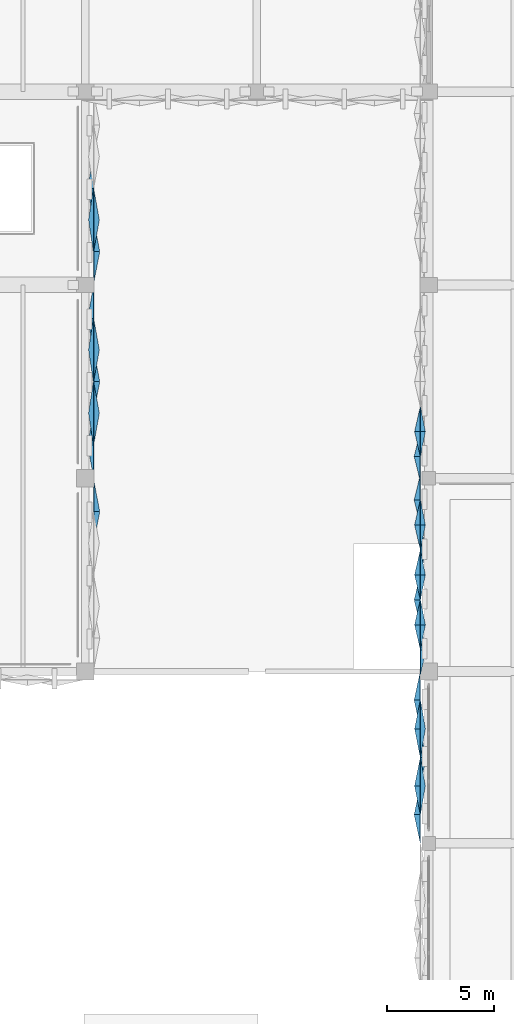
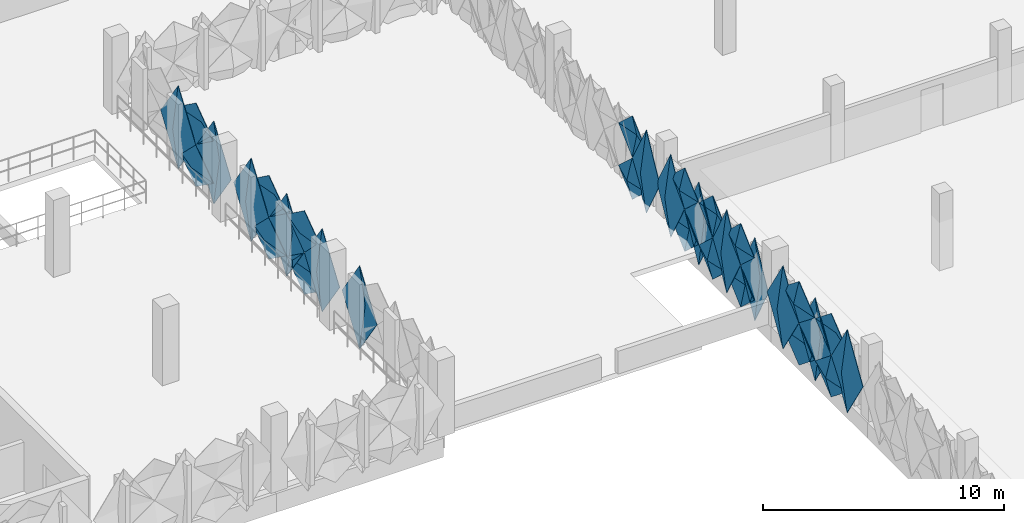
# One storey, part 74 of 96: 32 plates.
"""IFC4 building model written with IfcOpenShell, lengths in metres."""

from ifc_helpers import new_model, si_unit, derived_unit, direction, frame, origin, place, context, subcontext, project, spatial, polygons, material, layer, layer_set, type_object, element, save


model = new_model("IFC4")

# Units and contexts
model_context = context("Model", 3, precision=1e-05, world=origin(), true_north=direction((0.0, 1.0)))
body_context = subcontext(model_context, "Body", "Model", "MODEL_VIEW")
ifc_project = project(units=[si_unit("LENGTHUNIT", "METRE"), si_unit("AREAUNIT", "SQUARE_METRE"), si_unit("VOLUMEUNIT", "CUBIC_METRE"), si_unit("PLANEANGLEUNIT", "RADIAN"), si_unit("MASSUNIT", "GRAM", prefix="KILO"), si_unit("THERMODYNAMICTEMPERATUREUNIT", "KELVIN"), derived_unit("THERMALTRANSMITTANCEUNIT", [(si_unit("POWERUNIT", "WATT"), 1), (si_unit("AREAUNIT", "SQUARE_METRE"), -1), (si_unit("THERMODYNAMICTEMPERATUREUNIT", "KELVIN"), -1)])], contexts=[model_context])

# Site, building, storey
site_placement = place(None, origin())
site = spatial("IfcSite", under=ifc_project, at=site_placement, CompositionType="ELEMENT")
building_placement = place(site_placement, origin())
building = spatial("IfcBuilding", under=site, at=building_placement, Name="Haiyu Intermodal Mobility Hub", CompositionType="ELEMENT")
storey_placement = place(building_placement, frame((0.0, 0.0, 9.5)))
storey = spatial("IfcBuildingStorey", under=building, at=storey_placement, Name="L02", CompositionType="ELEMENT", Elevation=9.5)

# Plates
ifc_material = material(Name="Anodised aluminium 6063-T6", Category="aluminium")
ifc_layer_1 = layer(ifc_material, 0.01806640625)
ifc_layer_set_1 = layer_set([ifc_layer_1], Name="Anodised aluminium 6063-T6")
plate_type_1 = type_object("IfcPlateType", Name="PLT-FC01", PredefinedType="USERDEFINED", material=ifc_layer_set_1)
plate_1_placement = place(storey_placement, origin())
element("IfcPlate", 1, at=plate_1_placement, inside=storey, type_object=plate_type_1, Name="PLT-PYR-0669", ObjectType="FACADE CASSETTE", PredefinedType="USERDEFINED", context=body_context, shape_type="Tessellation", body=[
    polygons([(146.39990234375, 111.447021484375, -0.510009765625), (146.39990234375, 112.89990234375, 1.60009765625), (146.39990234375, 111.447021484375, 3.7099609375), (146.39990234375, 109.992919921875, 1.60009765625), (146.679931640625, 111.447021484375, 1.60009765625), (146.3779296875, 111.447021484375, -0.510009765625), (146.3779296875, 112.89990234375, 1.60009765625), (146.3779296875, 111.447021484375, 3.7099609375), (146.3779296875, 109.992919921875, 1.60009765625), (146.657958984375, 111.447021484375, 1.60009765625)], [[[1, 2, 5]], [[2, 3, 5]], [[3, 4, 5]], [[4, 1, 5]], [[7, 6, 10]], [[8, 7, 10]], [[9, 8, 10]], [[6, 9, 10]], [[1, 6, 7, 2]], [[2, 7, 8, 3]], [[3, 8, 9, 4]], [[4, 9, 6, 1]]], closed=True),
])
plate_2_placement = place(storey_placement, origin())
element("IfcPlate", 2, at=plate_2_placement, inside=storey, type_object=plate_type_1, Name="PLT-PYR-1914", ObjectType="FACADE CASSETTE", PredefinedType="USERDEFINED", context=body_context, shape_type="Tessellation", body=[
    polygons([(161.60009765625, 107.337890625, -0.510009765625), (161.60009765625, 106.195068359375, 1.60009765625), (161.60009765625, 107.337890625, 3.7099609375), (161.60009765625, 108.47998046875, 1.60009765625), (161.320068359375, 107.337890625, 1.60009765625), (161.6220703125, 107.337890625, -0.510009765625), (161.6220703125, 106.195068359375, 1.60009765625), (161.6220703125, 107.337890625, 3.7099609375), (161.6220703125, 108.47998046875, 1.60009765625), (161.342041015625, 107.337890625, 1.60009765625)], [[[1, 2, 5]], [[2, 3, 5]], [[3, 4, 5]], [[4, 1, 5]], [[7, 6, 10]], [[8, 7, 10]], [[9, 8, 10]], [[6, 9, 10]], [[1, 6, 7, 2]], [[2, 7, 8, 3]], [[3, 8, 9, 4]], [[4, 9, 6, 1]]], closed=True),
])
plate_3_placement = place(storey_placement, origin())
element("IfcPlate", 3, at=plate_3_placement, inside=storey, type_object=plate_type_1, Name="PLT-PYR-2126", ObjectType="FACADE CASSETTE", PredefinedType="USERDEFINED", context=body_context, shape_type="Tessellation", body=[
    polygons([(161.60009765625, 97.3330078125, -0.510009765625), (161.60009765625, 96.02001953125, 1.60009765625), (161.60009765625, 97.3330078125, 3.7099609375), (161.60009765625, 98.64697265625, 1.60009765625), (161.320068359375, 97.3330078125, 1.60009765625), (161.6220703125, 97.3330078125, -0.510009765625), (161.6220703125, 96.02001953125, 1.60009765625), (161.6220703125, 97.3330078125, 3.7099609375), (161.6220703125, 98.64697265625, 1.60009765625), (161.342041015625, 97.3330078125, 1.60009765625)], [[[1, 2, 5]], [[2, 3, 5]], [[3, 4, 5]], [[4, 1, 5]], [[7, 6, 10]], [[8, 7, 10]], [[9, 8, 10]], [[6, 9, 10]], [[1, 6, 7, 2]], [[2, 7, 8, 3]], [[3, 8, 9, 4]], [[4, 9, 6, 1]]], closed=True),
])
ifc_layer_2 = layer(ifc_material, 0.02001953125)
ifc_layer_set_2 = layer_set([ifc_layer_2], Name="Anodised aluminium 6063-T6")
plate_type_2 = type_object("IfcPlateType", Name="PLT-FC02", PredefinedType="USERDEFINED", material=ifc_layer_set_2)
plate_4_placement = place(storey_placement, origin())
element("IfcPlate", 4, at=plate_4_placement, inside=storey, type_object=plate_type_2, Name="PLT-PYR-0676", ObjectType="FACADE CASSETTE", PredefinedType="USERDEFINED", context=body_context, shape_type="Tessellation", body=[
    polygons([(146.39990234375, 120.447021484375, -0.510009765625), (146.39990234375, 121.89990234375, 1.60009765625), (146.39990234375, 120.447021484375, 3.7099609375), (146.39990234375, 118.992919921875, 1.60009765625), (146.139892578125, 120.447021484375, 1.60009765625), (146.3779296875, 120.447021484375, -0.510009765625), (146.3779296875, 121.89990234375, 1.60009765625), (146.3779296875, 120.447021484375, 3.7099609375), (146.3779296875, 118.992919921875, 1.60009765625), (146.117919921875, 120.447021484375, 1.60009765625)], [[[1, 2, 5]], [[2, 3, 5]], [[3, 4, 5]], [[4, 1, 5]], [[7, 6, 10]], [[8, 7, 10]], [[9, 8, 10]], [[6, 9, 10]], [[1, 6, 7, 2]], [[2, 7, 8, 3]], [[3, 8, 9, 4]], [[4, 9, 6, 1]]], closed=True),
])
ifc_layer_3 = layer(ifc_material, 0.01806640625)
ifc_layer_set_3 = layer_set([ifc_layer_3], Name="Anodised aluminium 6063-T6")
plate_type_3 = type_object("IfcPlateType", Name="PLT-FC03", PredefinedType="USERDEFINED", material=ifc_layer_set_3)
plate_5_placement = place(storey_placement, origin())
element("IfcPlate", 5, at=plate_5_placement, inside=storey, type_object=plate_type_3, Name="PLT-PYR-1927", ObjectType="FACADE CASSETTE", PredefinedType="USERDEFINED", context=body_context, shape_type="Tessellation", body=[
    polygons([(161.60009765625, 114.011962890625, -0.510009765625), (161.60009765625, 112.8701171875, 1.60009765625), (161.60009765625, 114.011962890625, 3.7099609375), (161.60009765625, 115.155029296875, 1.60009765625), (161.320068359375, 114.011962890625, 1.60009765625), (161.6220703125, 114.011962890625, -0.510009765625), (161.6220703125, 112.8701171875, 1.60009765625), (161.6220703125, 114.011962890625, 3.7099609375), (161.6220703125, 115.155029296875, 1.60009765625), (161.342041015625, 114.011962890625, 1.60009765625)], [[[1, 2, 5]], [[2, 3, 5]], [[3, 4, 5]], [[4, 1, 5]], [[7, 6, 10]], [[8, 7, 10]], [[9, 8, 10]], [[6, 9, 10]], [[1, 6, 7, 2]], [[2, 7, 8, 3]], [[3, 8, 9, 4]], [[4, 9, 6, 1]]], closed=True),
])
ifc_layer_4 = layer(ifc_material, 0.02001953125)
ifc_layer_set_4 = layer_set([ifc_layer_4], Name="Anodised aluminium 6063-T6")
plate_type_4 = type_object("IfcPlateType", Name="PLT-FC04", PredefinedType="USERDEFINED", material=ifc_layer_set_4)
plate_6_placement = place(storey_placement, origin())
element("IfcPlate", 6, at=plate_6_placement, inside=storey, type_object=plate_type_4, Name="PLT-PYR-1917", ObjectType="FACADE CASSETTE", PredefinedType="USERDEFINED", context=body_context, shape_type="Tessellation", body=[
    polygons([(161.60009765625, 105.011962890625, -0.510009765625), (161.60009765625, 103.8701171875, 1.60009765625), (161.60009765625, 105.011962890625, 3.7099609375), (161.60009765625, 106.155029296875, 1.60009765625), (161.860107421875, 105.011962890625, 1.60009765625), (161.6220703125, 105.011962890625, -0.510009765625), (161.6220703125, 103.8701171875, 1.60009765625), (161.6220703125, 105.011962890625, 3.7099609375), (161.6220703125, 106.155029296875, 1.60009765625), (161.882080078125, 105.011962890625, 1.60009765625)], [[[1, 2, 5]], [[2, 3, 5]], [[3, 4, 5]], [[4, 1, 5]], [[7, 6, 10]], [[8, 7, 10]], [[9, 8, 10]], [[6, 9, 10]], [[1, 6, 7, 2]], [[2, 7, 8, 3]], [[3, 8, 9, 4]], [[4, 9, 6, 1]]], closed=True),
])
ifc_layer_5 = layer(ifc_material, 0.01806640625)
ifc_layer_set_5 = layer_set([ifc_layer_5], Name="Anodised aluminium 6063-T6")
plate_type_5 = type_object("IfcPlateType", Name="PLT-FC05", PredefinedType="USERDEFINED", material=ifc_layer_set_5)
plate_7_placement = place(storey_placement, origin())
element("IfcPlate", 7, at=plate_7_placement, inside=storey, type_object=plate_type_5, Name="PLT-PYR-0671", ObjectType="FACADE CASSETTE", PredefinedType="USERDEFINED", context=body_context, shape_type="Tessellation", body=[
    polygons([(146.39990234375, 116.027099609375, -0.52001953125), (146.39990234375, 117.47998046875, 0.530029296875), (146.39990234375, 116.027099609375, 1.580078125), (146.39990234375, 114.572998046875, 0.530029296875), (146.659912109375, 116.027099609375, 0.530029296875), (146.3779296875, 116.027099609375, -0.52001953125), (146.3779296875, 117.47998046875, 0.530029296875), (146.3779296875, 116.027099609375, 1.580078125), (146.3779296875, 114.572998046875, 0.530029296875), (146.637939453125, 116.027099609375, 0.530029296875)], [[[1, 2, 5]], [[2, 3, 5]], [[3, 4, 5]], [[4, 1, 5]], [[7, 6, 10]], [[8, 7, 10]], [[9, 8, 10]], [[6, 9, 10]], [[1, 6, 7, 2]], [[2, 7, 8, 3]], [[3, 8, 9, 4]], [[4, 9, 6, 1]]], closed=True),
])
plate_8_placement = place(storey_placement, origin())
element("IfcPlate", 8, at=plate_8_placement, inside=storey, type_object=plate_type_5, Name="PLT-PYR-0677", ObjectType="FACADE CASSETTE", PredefinedType="USERDEFINED", context=body_context, shape_type="Tessellation", body=[
    polygons([(146.39990234375, 123.552978515625, -0.510009765625), (146.39990234375, 125.007080078125, 1.60009765625), (146.39990234375, 123.552978515625, 3.7099609375), (146.39990234375, 122.10009765625, 1.60009765625), (146.679931640625, 123.552978515625, 1.60009765625), (146.3779296875, 123.552978515625, -0.510009765625), (146.3779296875, 125.007080078125, 1.60009765625), (146.3779296875, 123.552978515625, 3.7099609375), (146.3779296875, 122.10009765625, 1.60009765625), (146.657958984375, 123.552978515625, 1.60009765625)], [[[1, 2, 5]], [[2, 3, 5]], [[3, 4, 5]], [[4, 1, 5]], [[7, 6, 10]], [[8, 7, 10]], [[9, 8, 10]], [[6, 9, 10]], [[1, 6, 7, 2]], [[2, 7, 8, 3]], [[3, 8, 9, 4]], [[4, 9, 6, 1]]], closed=True),
])
plate_9_placement = place(storey_placement, origin())
element("IfcPlate", 9, at=plate_9_placement, inside=storey, type_object=plate_type_5, Name="PLT-PYR-1908", ObjectType="FACADE CASSETTE", PredefinedType="USERDEFINED", context=body_context, shape_type="Tessellation", body=[
    polygons([(161.60009765625, 111.988037109375, -0.510009765625), (161.60009765625, 110.844970703125, 1.60009765625), (161.60009765625, 111.988037109375, 3.7099609375), (161.60009765625, 113.1298828125, 1.60009765625), (161.320068359375, 111.988037109375, 1.60009765625), (161.6220703125, 111.988037109375, -0.510009765625), (161.6220703125, 110.844970703125, 1.60009765625), (161.6220703125, 111.988037109375, 3.7099609375), (161.6220703125, 113.1298828125, 1.60009765625), (161.342041015625, 111.988037109375, 1.60009765625)], [[[1, 2, 5]], [[2, 3, 5]], [[3, 4, 5]], [[4, 1, 5]], [[7, 6, 10]], [[8, 7, 10]], [[9, 8, 10]], [[6, 9, 10]], [[1, 6, 7, 2]], [[2, 7, 8, 3]], [[3, 8, 9, 4]], [[4, 9, 6, 1]]], closed=True),
])
plate_10_placement = place(storey_placement, origin())
element("IfcPlate", 10, at=plate_10_placement, inside=storey, type_object=plate_type_5, Name="PLT-PYR-1912", ObjectType="FACADE CASSETTE", PredefinedType="USERDEFINED", context=body_context, shape_type="Tessellation", body=[
    polygons([(161.60009765625, 108.5, -0.52001953125), (161.60009765625, 107.35791015625, 0.530029296875), (161.60009765625, 108.5, 1.580078125), (161.60009765625, 109.64306640625, 0.530029296875), (161.340087890625, 108.5, 0.530029296875), (161.6220703125, 108.5, -0.52001953125), (161.6220703125, 107.35791015625, 0.530029296875), (161.6220703125, 108.5, 1.580078125), (161.6220703125, 109.64306640625, 0.530029296875), (161.362060546875, 108.5, 0.530029296875)], [[[1, 2, 5]], [[2, 3, 5]], [[3, 4, 5]], [[4, 1, 5]], [[7, 6, 10]], [[8, 7, 10]], [[9, 8, 10]], [[6, 9, 10]], [[1, 6, 7, 2]], [[2, 7, 8, 3]], [[3, 8, 9, 4]], [[4, 9, 6, 1]]], closed=True),
])
plate_11_placement = place(storey_placement, origin())
element("IfcPlate", 11, at=plate_11_placement, inside=storey, type_object=plate_type_5, Name="PLT-PYR-1925", ObjectType="FACADE CASSETTE", PredefinedType="USERDEFINED", context=body_context, shape_type="Tessellation", body=[
    polygons([(161.60009765625, 115.175048828125, -0.52001953125), (161.60009765625, 114.031982421875, 0.530029296875), (161.60009765625, 115.175048828125, 1.580078125), (161.60009765625, 116.318115234375, 0.530029296875), (161.340087890625, 115.175048828125, 0.530029296875), (161.6220703125, 115.175048828125, -0.52001953125), (161.6220703125, 114.031982421875, 0.530029296875), (161.6220703125, 115.175048828125, 1.580078125), (161.6220703125, 116.318115234375, 0.530029296875), (161.362060546875, 115.175048828125, 0.530029296875)], [[[1, 2, 5]], [[2, 3, 5]], [[3, 4, 5]], [[4, 1, 5]], [[7, 6, 10]], [[8, 7, 10]], [[9, 8, 10]], [[6, 9, 10]], [[1, 6, 7, 2]], [[2, 7, 8, 3]], [[3, 8, 9, 4]], [[4, 9, 6, 1]]], closed=True),
])
plate_12_placement = place(storey_placement, origin())
element("IfcPlate", 12, at=plate_12_placement, inside=storey, type_object=plate_type_5, Name="PLT-PYR-2120", ObjectType="FACADE CASSETTE", PredefinedType="USERDEFINED", context=body_context, shape_type="Tessellation", body=[
    polygons([(161.60009765625, 102.6669921875, -0.510009765625), (161.60009765625, 101.35302734375, 1.60009765625), (161.60009765625, 102.6669921875, 3.7099609375), (161.60009765625, 103.97998046875, 1.60009765625), (161.320068359375, 102.6669921875, 1.60009765625), (161.6220703125, 102.6669921875, -0.510009765625), (161.6220703125, 101.35302734375, 1.60009765625), (161.6220703125, 102.6669921875, 3.7099609375), (161.6220703125, 103.97998046875, 1.60009765625), (161.342041015625, 102.6669921875, 1.60009765625)], [[[1, 2, 5]], [[2, 3, 5]], [[3, 4, 5]], [[4, 1, 5]], [[7, 6, 10]], [[8, 7, 10]], [[9, 8, 10]], [[6, 9, 10]], [[1, 6, 7, 2]], [[2, 7, 8, 3]], [[3, 8, 9, 4]], [[4, 9, 6, 1]]], closed=True),
])
plate_13_placement = place(storey_placement, origin())
element("IfcPlate", 13, at=plate_13_placement, inside=storey, type_object=plate_type_5, Name="PLT-PYR-2124", ObjectType="FACADE CASSETTE", PredefinedType="USERDEFINED", context=body_context, shape_type="Tessellation", body=[
    polygons([(161.60009765625, 98.6669921875, -0.52001953125), (161.60009765625, 97.35302734375, 0.530029296875), (161.60009765625, 98.6669921875, 1.580078125), (161.60009765625, 99.97998046875, 0.530029296875), (161.340087890625, 98.6669921875, 0.530029296875), (161.6220703125, 98.6669921875, -0.52001953125), (161.6220703125, 97.35302734375, 0.530029296875), (161.6220703125, 98.6669921875, 1.580078125), (161.6220703125, 99.97998046875, 0.530029296875), (161.362060546875, 98.6669921875, 0.530029296875)], [[[1, 2, 5]], [[2, 3, 5]], [[3, 4, 5]], [[4, 1, 5]], [[7, 6, 10]], [[8, 7, 10]], [[9, 8, 10]], [[6, 9, 10]], [[1, 6, 7, 2]], [[2, 7, 8, 3]], [[3, 8, 9, 4]], [[4, 9, 6, 1]]], closed=True),
])
ifc_layer_6 = layer(ifc_material, 0.02001953125)
ifc_layer_set_6 = layer_set([ifc_layer_6], Name="Anodised aluminium 6063-T6")
plate_type_6 = type_object("IfcPlateType", Name="PLT-FC06", PredefinedType="USERDEFINED", material=ifc_layer_set_6)
plate_14_placement = place(storey_placement, origin())
element("IfcPlate", 14, at=plate_14_placement, inside=storey, type_object=plate_type_6, Name="PLT-PYR-0670", ObjectType="FACADE CASSETTE", PredefinedType="USERDEFINED", context=body_context, shape_type="Tessellation", body=[
    polygons([(146.39990234375, 114.552978515625, -0.510009765625), (146.39990234375, 116.007080078125, 1.60009765625), (146.39990234375, 114.552978515625, 3.7099609375), (146.39990234375, 113.10009765625, 1.60009765625), (146.139892578125, 114.552978515625, 1.60009765625), (146.3779296875, 114.552978515625, -0.510009765625), (146.3779296875, 116.007080078125, 1.60009765625), (146.3779296875, 114.552978515625, 3.7099609375), (146.3779296875, 113.10009765625, 1.60009765625), (146.117919921875, 114.552978515625, 1.60009765625)], [[[1, 2, 5]], [[2, 3, 5]], [[3, 4, 5]], [[4, 1, 5]], [[7, 6, 10]], [[8, 7, 10]], [[9, 8, 10]], [[6, 9, 10]], [[1, 6, 7, 2]], [[2, 7, 8, 3]], [[3, 8, 9, 4]], [[4, 9, 6, 1]]], closed=True),
])
plate_15_placement = place(storey_placement, origin())
element("IfcPlate", 15, at=plate_15_placement, inside=storey, type_object=plate_type_6, Name="PLT-PYR-0674", ObjectType="FACADE CASSETTE", PredefinedType="USERDEFINED", context=body_context, shape_type="Tessellation", body=[
    polygons([(146.39990234375, 118.972900390625, -0.52001953125), (146.39990234375, 120.427001953125, 0.530029296875), (146.39990234375, 118.972900390625, 1.580078125), (146.39990234375, 117.52001953125, 0.530029296875), (146.179931640625, 118.972900390625, 0.530029296875), (146.3779296875, 118.972900390625, -0.52001953125), (146.3779296875, 120.427001953125, 0.530029296875), (146.3779296875, 118.972900390625, 1.580078125), (146.3779296875, 117.52001953125, 0.530029296875), (146.157958984375, 118.972900390625, 0.530029296875)], [[[1, 2, 5]], [[2, 3, 5]], [[3, 4, 5]], [[4, 1, 5]], [[7, 6, 10]], [[8, 7, 10]], [[9, 8, 10]], [[6, 9, 10]], [[1, 6, 7, 2]], [[2, 7, 8, 3]], [[3, 8, 9, 4]], [[4, 9, 6, 1]]], closed=True),
])
plate_16_placement = place(storey_placement, origin())
element("IfcPlate", 16, at=plate_16_placement, inside=storey, type_object=plate_type_6, Name="PLT-PYR-0678", ObjectType="FACADE CASSETTE", PredefinedType="USERDEFINED", context=body_context, shape_type="Tessellation", body=[
    polygons([(146.39990234375, 125.027099609375, -0.52001953125), (146.39990234375, 126.47998046875, 0.530029296875), (146.39990234375, 125.027099609375, 1.580078125), (146.39990234375, 123.572998046875, 0.530029296875), (146.179931640625, 125.027099609375, 0.530029296875), (146.3779296875, 125.027099609375, -0.52001953125), (146.3779296875, 126.47998046875, 0.530029296875), (146.3779296875, 125.027099609375, 1.580078125), (146.3779296875, 123.572998046875, 0.530029296875), (146.157958984375, 125.027099609375, 0.530029296875)], [[[1, 2, 5]], [[2, 3, 5]], [[3, 4, 5]], [[4, 1, 5]], [[7, 6, 10]], [[8, 7, 10]], [[9, 8, 10]], [[6, 9, 10]], [[1, 6, 7, 2]], [[2, 7, 8, 3]], [[3, 8, 9, 4]], [[4, 9, 6, 1]]], closed=True),
])
plate_17_placement = place(storey_placement, origin())
element("IfcPlate", 17, at=plate_17_placement, inside=storey, type_object=plate_type_6, Name="PLT-PYR-1909", ObjectType="FACADE CASSETTE", PredefinedType="USERDEFINED", context=body_context, shape_type="Tessellation", body=[
    polygons([(161.60009765625, 110.824951171875, -0.52001953125), (161.60009765625, 109.681884765625, 0.530029296875), (161.60009765625, 110.824951171875, 1.580078125), (161.60009765625, 111.968017578125, 0.530029296875), (161.820068359375, 110.824951171875, 0.530029296875), (161.6220703125, 110.824951171875, -0.52001953125), (161.6220703125, 109.681884765625, 0.530029296875), (161.6220703125, 110.824951171875, 1.580078125), (161.6220703125, 111.968017578125, 0.530029296875), (161.842041015625, 110.824951171875, 0.530029296875)], [[[1, 2, 5]], [[2, 3, 5]], [[3, 4, 5]], [[4, 1, 5]], [[7, 6, 10]], [[8, 7, 10]], [[9, 8, 10]], [[6, 9, 10]], [[1, 6, 7, 2]], [[2, 7, 8, 3]], [[3, 8, 9, 4]], [[4, 9, 6, 1]]], closed=True),
])
plate_18_placement = place(storey_placement, origin())
element("IfcPlate", 18, at=plate_18_placement, inside=storey, type_object=plate_type_6, Name="PLT-PYR-1915", ObjectType="FACADE CASSETTE", PredefinedType="USERDEFINED", context=body_context, shape_type="Tessellation", body=[
    polygons([(161.60009765625, 106.175048828125, -0.52001953125), (161.60009765625, 105.031982421875, 0.530029296875), (161.60009765625, 106.175048828125, 1.580078125), (161.60009765625, 107.318115234375, 0.530029296875), (161.820068359375, 106.175048828125, 0.530029296875), (161.6220703125, 106.175048828125, -0.52001953125), (161.6220703125, 105.031982421875, 0.530029296875), (161.6220703125, 106.175048828125, 1.580078125), (161.6220703125, 107.318115234375, 0.530029296875), (161.842041015625, 106.175048828125, 0.530029296875)], [[[1, 2, 5]], [[2, 3, 5]], [[3, 4, 5]], [[4, 1, 5]], [[7, 6, 10]], [[8, 7, 10]], [[9, 8, 10]], [[6, 9, 10]], [[1, 6, 7, 2]], [[2, 7, 8, 3]], [[3, 8, 9, 4]], [[4, 9, 6, 1]]], closed=True),
])
plate_19_placement = place(storey_placement, origin())
element("IfcPlate", 19, at=plate_19_placement, inside=storey, type_object=plate_type_6, Name="PLT-PYR-2121", ObjectType="FACADE CASSETTE", PredefinedType="USERDEFINED", context=body_context, shape_type="Tessellation", body=[
    polygons([(161.60009765625, 101.3330078125, -0.52001953125), (161.60009765625, 100.02001953125, 0.530029296875), (161.60009765625, 101.3330078125, 1.580078125), (161.60009765625, 102.64697265625, 0.530029296875), (161.820068359375, 101.3330078125, 0.530029296875), (161.6220703125, 101.3330078125, -0.52001953125), (161.6220703125, 100.02001953125, 0.530029296875), (161.6220703125, 101.3330078125, 1.580078125), (161.6220703125, 102.64697265625, 0.530029296875), (161.842041015625, 101.3330078125, 0.530029296875)], [[[1, 2, 5]], [[2, 3, 5]], [[3, 4, 5]], [[4, 1, 5]], [[7, 6, 10]], [[8, 7, 10]], [[9, 8, 10]], [[6, 9, 10]], [[1, 6, 7, 2]], [[2, 7, 8, 3]], [[3, 8, 9, 4]], [[4, 9, 6, 1]]], closed=True),
])
ifc_layer_7 = layer(ifc_material, 0.02197265625)
ifc_layer_set_7 = layer_set([ifc_layer_7], Name="Anodised aluminium 6063-T6")
plate_type_7 = type_object("IfcPlateType", Name="PLT-FC07", PredefinedType="USERDEFINED", material=ifc_layer_set_7)
plate_20_placement = place(storey_placement, origin())
element("IfcPlate", 20, at=plate_20_placement, inside=storey, type_object=plate_type_7, Name="PLT-PYR-0673", ObjectType="FACADE CASSETTE", PredefinedType="USERDEFINED", context=body_context, shape_type="Tessellation", body=[
    polygons([(146.39990234375, 117.5, -0.510009765625), (146.39990234375, 118.952880859375, 1.60009765625), (146.39990234375, 117.5, 3.7099609375), (146.39990234375, 116.047119140625, 1.60009765625), (146.679931640625, 117.5, 1.60009765625), (146.3779296875, 117.5, -0.510009765625), (146.3779296875, 118.952880859375, 1.60009765625), (146.3779296875, 117.5, 3.7099609375), (146.3779296875, 116.047119140625, 1.60009765625), (146.657958984375, 117.5, 1.60009765625)], [[[1, 2, 5]], [[2, 3, 5]], [[3, 4, 5]], [[4, 1, 5]], [[7, 6, 10]], [[8, 7, 10]], [[9, 8, 10]], [[6, 9, 10]], [[1, 6, 7, 2]], [[2, 7, 8, 3]], [[3, 8, 9, 4]], [[4, 9, 6, 1]]], closed=True),
])
plate_21_placement = place(storey_placement, origin())
element("IfcPlate", 21, at=plate_21_placement, inside=storey, type_object=plate_type_7, Name="PLT-PYR-0675", ObjectType="FACADE CASSETTE", PredefinedType="USERDEFINED", context=body_context, shape_type="Tessellation", body=[
    polygons([(146.39990234375, 118.972900390625, 1.6201171875), (146.39990234375, 120.427001953125, 2.669921875), (146.39990234375, 118.972900390625, 3.719970703125), (146.39990234375, 117.52001953125, 2.669921875), (146.659912109375, 118.972900390625, 2.669921875), (146.3779296875, 118.972900390625, 1.6201171875), (146.3779296875, 120.427001953125, 2.669921875), (146.3779296875, 118.972900390625, 3.719970703125), (146.3779296875, 117.52001953125, 2.669921875), (146.637939453125, 118.972900390625, 2.669921875)], [[[1, 2, 5]], [[2, 3, 5]], [[3, 4, 5]], [[4, 1, 5]], [[7, 6, 10]], [[8, 7, 10]], [[9, 8, 10]], [[6, 9, 10]], [[1, 6, 7, 2]], [[2, 7, 8, 3]], [[3, 8, 9, 4]], [[4, 9, 6, 1]]], closed=True),
])
plate_22_placement = place(storey_placement, origin())
element("IfcPlate", 22, at=plate_22_placement, inside=storey, type_object=plate_type_7, Name="PLT-PYR-0679", ObjectType="FACADE CASSETTE", PredefinedType="USERDEFINED", context=body_context, shape_type="Tessellation", body=[
    polygons([(146.39990234375, 125.027099609375, 1.6201171875), (146.39990234375, 126.47998046875, 2.669921875), (146.39990234375, 125.027099609375, 3.719970703125), (146.39990234375, 123.572998046875, 2.669921875), (146.659912109375, 125.027099609375, 2.669921875), (146.3779296875, 125.027099609375, 1.6201171875), (146.3779296875, 126.47998046875, 2.669921875), (146.3779296875, 125.027099609375, 3.719970703125), (146.3779296875, 123.572998046875, 2.669921875), (146.637939453125, 125.027099609375, 2.669921875)], [[[1, 2, 5]], [[2, 3, 5]], [[3, 4, 5]], [[4, 1, 5]], [[7, 6, 10]], [[8, 7, 10]], [[9, 8, 10]], [[6, 9, 10]], [[1, 6, 7, 2]], [[2, 7, 8, 3]], [[3, 8, 9, 4]], [[4, 9, 6, 1]]], closed=True),
])
plate_23_placement = place(storey_placement, origin())
element("IfcPlate", 23, at=plate_23_placement, inside=storey, type_object=plate_type_7, Name="PLT-PYR-1910", ObjectType="FACADE CASSETTE", PredefinedType="USERDEFINED", context=body_context, shape_type="Tessellation", body=[
    polygons([(161.60009765625, 110.824951171875, 1.6201171875), (161.60009765625, 109.681884765625, 2.669921875), (161.60009765625, 110.824951171875, 3.719970703125), (161.60009765625, 111.968017578125, 2.669921875), (161.340087890625, 110.824951171875, 2.669921875), (161.6220703125, 110.824951171875, 1.6201171875), (161.6220703125, 109.681884765625, 2.669921875), (161.6220703125, 110.824951171875, 3.719970703125), (161.6220703125, 111.968017578125, 2.669921875), (161.362060546875, 110.824951171875, 2.669921875)], [[[1, 2, 5]], [[2, 3, 5]], [[3, 4, 5]], [[4, 1, 5]], [[7, 6, 10]], [[8, 7, 10]], [[9, 8, 10]], [[6, 9, 10]], [[1, 6, 7, 2]], [[2, 7, 8, 3]], [[3, 8, 9, 4]], [[4, 9, 6, 1]]], closed=True),
])
plate_24_placement = place(storey_placement, origin())
element("IfcPlate", 24, at=plate_24_placement, inside=storey, type_object=plate_type_7, Name="PLT-PYR-1916", ObjectType="FACADE CASSETTE", PredefinedType="USERDEFINED", context=body_context, shape_type="Tessellation", body=[
    polygons([(161.60009765625, 106.175048828125, 1.6201171875), (161.60009765625, 105.031982421875, 2.669921875), (161.60009765625, 106.175048828125, 3.719970703125), (161.60009765625, 107.318115234375, 2.669921875), (161.340087890625, 106.175048828125, 2.669921875), (161.6220703125, 106.175048828125, 1.6201171875), (161.6220703125, 105.031982421875, 2.669921875), (161.6220703125, 106.175048828125, 3.719970703125), (161.6220703125, 107.318115234375, 2.669921875), (161.362060546875, 106.175048828125, 2.669921875)], [[[1, 2, 5]], [[2, 3, 5]], [[3, 4, 5]], [[4, 1, 5]], [[7, 6, 10]], [[8, 7, 10]], [[9, 8, 10]], [[6, 9, 10]], [[1, 6, 7, 2]], [[2, 7, 8, 3]], [[3, 8, 9, 4]], [[4, 9, 6, 1]]], closed=True),
])
plate_25_placement = place(storey_placement, origin())
element("IfcPlate", 25, at=plate_25_placement, inside=storey, type_object=plate_type_7, Name="PLT-PYR-2122", ObjectType="FACADE CASSETTE", PredefinedType="USERDEFINED", context=body_context, shape_type="Tessellation", body=[
    polygons([(161.60009765625, 101.3330078125, 1.6201171875), (161.60009765625, 100.02001953125, 2.669921875), (161.60009765625, 101.3330078125, 3.719970703125), (161.60009765625, 102.64697265625, 2.669921875), (161.340087890625, 101.3330078125, 2.669921875), (161.6220703125, 101.3330078125, 1.6201171875), (161.6220703125, 100.02001953125, 2.669921875), (161.6220703125, 101.3330078125, 3.719970703125), (161.6220703125, 102.64697265625, 2.669921875), (161.362060546875, 101.3330078125, 2.669921875)], [[[1, 2, 5]], [[2, 3, 5]], [[3, 4, 5]], [[4, 1, 5]], [[7, 6, 10]], [[8, 7, 10]], [[9, 8, 10]], [[6, 9, 10]], [[1, 6, 7, 2]], [[2, 7, 8, 3]], [[3, 8, 9, 4]], [[4, 9, 6, 1]]], closed=True),
])
ifc_layer_8 = layer(ifc_material, 0.02392578125)
ifc_layer_set_8 = layer_set([ifc_layer_8], Name="Anodised aluminium 6063-T6")
plate_type_8 = type_object("IfcPlateType", Name="PLT-FC08", PredefinedType="USERDEFINED", material=ifc_layer_set_8)
plate_26_placement = place(storey_placement, origin())
element("IfcPlate", 26, at=plate_26_placement, inside=storey, type_object=plate_type_8, Name="PLT-PYR-0672", ObjectType="FACADE CASSETTE", PredefinedType="USERDEFINED", context=body_context, shape_type="Tessellation", body=[
    polygons([(146.39990234375, 116.027099609375, 1.6201171875), (146.39990234375, 117.47998046875, 2.669921875), (146.39990234375, 116.027099609375, 3.719970703125), (146.39990234375, 114.572998046875, 2.669921875), (146.179931640625, 116.027099609375, 2.669921875), (146.3779296875, 116.027099609375, 1.6201171875), (146.3779296875, 117.47998046875, 2.669921875), (146.3779296875, 116.027099609375, 3.719970703125), (146.3779296875, 114.572998046875, 2.669921875), (146.157958984375, 116.027099609375, 2.669921875)], [[[1, 2, 5]], [[2, 3, 5]], [[3, 4, 5]], [[4, 1, 5]], [[7, 6, 10]], [[8, 7, 10]], [[9, 8, 10]], [[6, 9, 10]], [[1, 6, 7, 2]], [[2, 7, 8, 3]], [[3, 8, 9, 4]], [[4, 9, 6, 1]]], closed=True),
])
plate_27_placement = place(storey_placement, origin())
element("IfcPlate", 27, at=plate_27_placement, inside=storey, type_object=plate_type_8, Name="PLT-PYR-0680", ObjectType="FACADE CASSETTE", PredefinedType="USERDEFINED", context=body_context, shape_type="Tessellation", body=[
    polygons([(146.39990234375, 126.5, -0.510009765625), (146.39990234375, 127.952880859375, 1.60009765625), (146.39990234375, 126.5, 3.7099609375), (146.39990234375, 125.047119140625, 1.60009765625), (146.139892578125, 126.5, 1.60009765625), (146.3779296875, 126.5, -0.510009765625), (146.3779296875, 127.952880859375, 1.60009765625), (146.3779296875, 126.5, 3.7099609375), (146.3779296875, 125.047119140625, 1.60009765625), (146.117919921875, 126.5, 1.60009765625)], [[[1, 2, 5]], [[2, 3, 5]], [[3, 4, 5]], [[4, 1, 5]], [[7, 6, 10]], [[8, 7, 10]], [[9, 8, 10]], [[6, 9, 10]], [[1, 6, 7, 2]], [[2, 7, 8, 3]], [[3, 8, 9, 4]], [[4, 9, 6, 1]]], closed=True),
])
plate_28_placement = place(storey_placement, origin())
element("IfcPlate", 28, at=plate_28_placement, inside=storey, type_object=plate_type_8, Name="PLT-PYR-1911", ObjectType="FACADE CASSETTE", PredefinedType="USERDEFINED", context=body_context, shape_type="Tessellation", body=[
    polygons([(161.60009765625, 109.6630859375, -0.510009765625), (161.60009765625, 108.52001953125, 1.60009765625), (161.60009765625, 109.6630859375, 3.7099609375), (161.60009765625, 110.804931640625, 1.60009765625), (161.860107421875, 109.6630859375, 1.60009765625), (161.6220703125, 109.6630859375, -0.510009765625), (161.6220703125, 108.52001953125, 1.60009765625), (161.6220703125, 109.6630859375, 3.7099609375), (161.6220703125, 110.804931640625, 1.60009765625), (161.882080078125, 109.6630859375, 1.60009765625)], [[[1, 2, 5]], [[2, 3, 5]], [[3, 4, 5]], [[4, 1, 5]], [[7, 6, 10]], [[8, 7, 10]], [[9, 8, 10]], [[6, 9, 10]], [[1, 6, 7, 2]], [[2, 7, 8, 3]], [[3, 8, 9, 4]], [[4, 9, 6, 1]]], closed=True),
])
plate_29_placement = place(storey_placement, origin())
element("IfcPlate", 29, at=plate_29_placement, inside=storey, type_object=plate_type_8, Name="PLT-PYR-1913", ObjectType="FACADE CASSETTE", PredefinedType="USERDEFINED", context=body_context, shape_type="Tessellation", body=[
    polygons([(161.60009765625, 108.5, 1.6201171875), (161.60009765625, 107.35791015625, 2.669921875), (161.60009765625, 108.5, 3.719970703125), (161.60009765625, 109.64306640625, 2.669921875), (161.820068359375, 108.5, 2.669921875), (161.6220703125, 108.5, 1.6201171875), (161.6220703125, 107.35791015625, 2.669921875), (161.6220703125, 108.5, 3.719970703125), (161.6220703125, 109.64306640625, 2.669921875), (161.842041015625, 108.5, 2.669921875)], [[[1, 2, 5]], [[2, 3, 5]], [[3, 4, 5]], [[4, 1, 5]], [[7, 6, 10]], [[8, 7, 10]], [[9, 8, 10]], [[6, 9, 10]], [[1, 6, 7, 2]], [[2, 7, 8, 3]], [[3, 8, 9, 4]], [[4, 9, 6, 1]]], closed=True),
])
plate_30_placement = place(storey_placement, origin())
element("IfcPlate", 30, at=plate_30_placement, inside=storey, type_object=plate_type_8, Name="PLT-PYR-1926", ObjectType="FACADE CASSETTE", PredefinedType="USERDEFINED", context=body_context, shape_type="Tessellation", body=[
    polygons([(161.60009765625, 115.175048828125, 1.6201171875), (161.60009765625, 114.031982421875, 2.669921875), (161.60009765625, 115.175048828125, 3.719970703125), (161.60009765625, 116.318115234375, 2.669921875), (161.820068359375, 115.175048828125, 2.669921875), (161.6220703125, 115.175048828125, 1.6201171875), (161.6220703125, 114.031982421875, 2.669921875), (161.6220703125, 115.175048828125, 3.719970703125), (161.6220703125, 116.318115234375, 2.669921875), (161.842041015625, 115.175048828125, 2.669921875)], [[[1, 2, 5]], [[2, 3, 5]], [[3, 4, 5]], [[4, 1, 5]], [[7, 6, 10]], [[8, 7, 10]], [[9, 8, 10]], [[6, 9, 10]], [[1, 6, 7, 2]], [[2, 7, 8, 3]], [[3, 8, 9, 4]], [[4, 9, 6, 1]]], closed=True),
])
plate_31_placement = place(storey_placement, origin())
element("IfcPlate", 31, at=plate_31_placement, inside=storey, type_object=plate_type_8, Name="PLT-PYR-2123", ObjectType="FACADE CASSETTE", PredefinedType="USERDEFINED", context=body_context, shape_type="Tessellation", body=[
    polygons([(161.60009765625, 100.0, -0.510009765625), (161.60009765625, 98.68701171875, 1.60009765625), (161.60009765625, 100.0, 3.7099609375), (161.60009765625, 101.31298828125, 1.60009765625), (161.860107421875, 100.0, 1.60009765625), (161.6220703125, 100.0, -0.510009765625), (161.6220703125, 98.68701171875, 1.60009765625), (161.6220703125, 100.0, 3.7099609375), (161.6220703125, 101.31298828125, 1.60009765625), (161.882080078125, 100.0, 1.60009765625)], [[[1, 2, 5]], [[2, 3, 5]], [[3, 4, 5]], [[4, 1, 5]], [[7, 6, 10]], [[8, 7, 10]], [[9, 8, 10]], [[6, 9, 10]], [[1, 6, 7, 2]], [[2, 7, 8, 3]], [[3, 8, 9, 4]], [[4, 9, 6, 1]]], closed=True),
])
plate_32_placement = place(storey_placement, origin())
element("IfcPlate", 32, at=plate_32_placement, inside=storey, type_object=plate_type_8, Name="PLT-PYR-2125", ObjectType="FACADE CASSETTE", PredefinedType="USERDEFINED", context=body_context, shape_type="Tessellation", body=[
    polygons([(161.60009765625, 98.6669921875, 1.6201171875), (161.60009765625, 97.35302734375, 2.669921875), (161.60009765625, 98.6669921875, 3.719970703125), (161.60009765625, 99.97998046875, 2.669921875), (161.820068359375, 98.6669921875, 2.669921875), (161.6220703125, 98.6669921875, 1.6201171875), (161.6220703125, 97.35302734375, 2.669921875), (161.6220703125, 98.6669921875, 3.719970703125), (161.6220703125, 99.97998046875, 2.669921875), (161.842041015625, 98.6669921875, 2.669921875)], [[[1, 2, 5]], [[2, 3, 5]], [[3, 4, 5]], [[4, 1, 5]], [[7, 6, 10]], [[8, 7, 10]], [[9, 8, 10]], [[6, 9, 10]], [[1, 6, 7, 2]], [[2, 7, 8, 3]], [[3, 8, 9, 4]], [[4, 9, 6, 1]]], closed=True),
])

save(model, "model.ifc")
